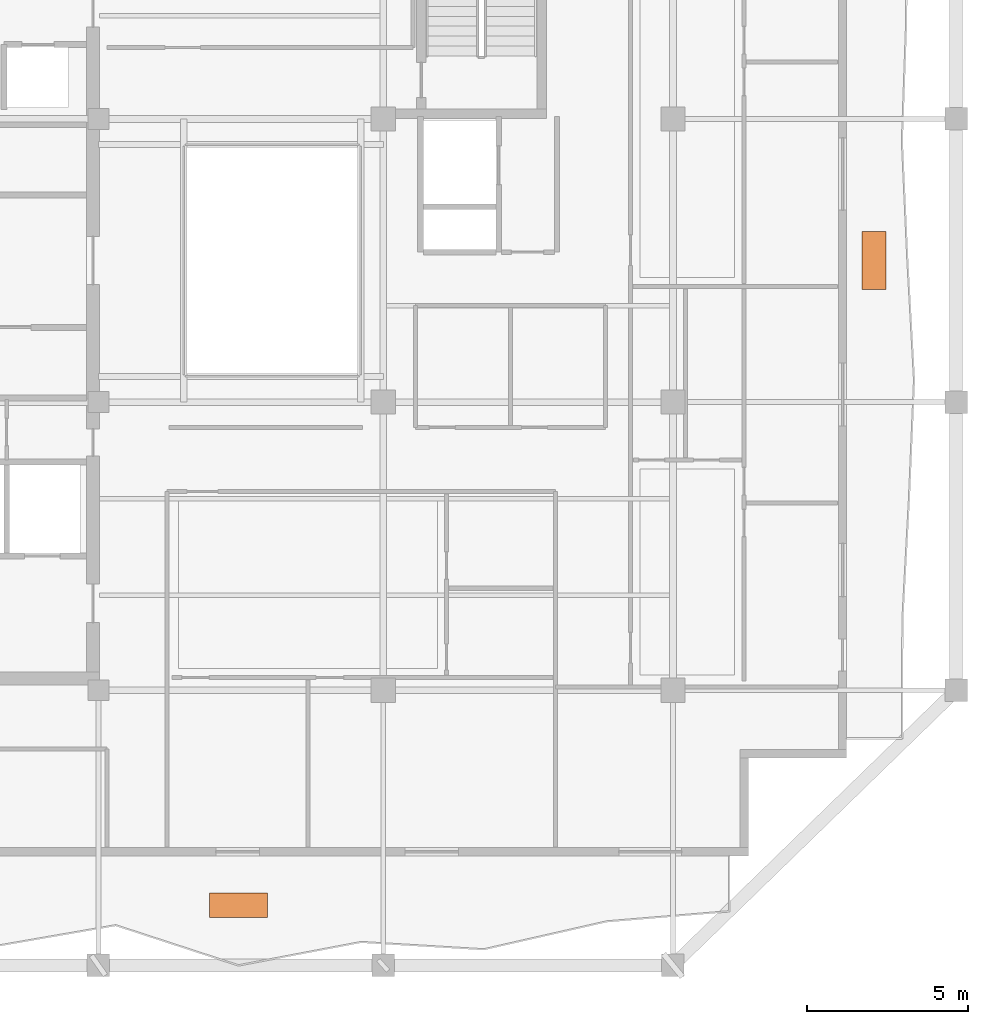
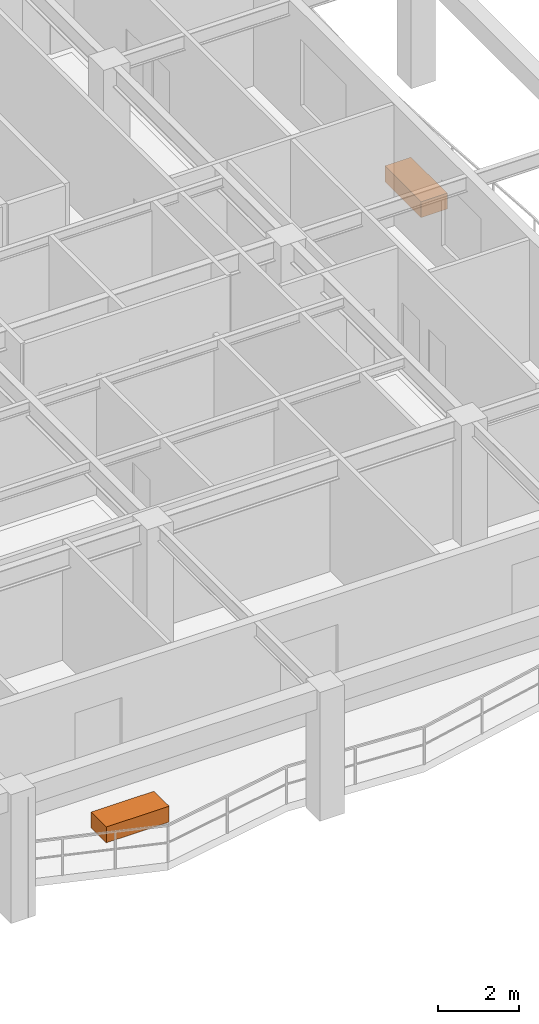
# One storey, part 10 of 10: 2 proxies.
"""IFC4 building model written with IfcOpenShell, lengths in metres."""

from ifc_helpers import new_model, si_unit, direction, frame, origin, origin_2d, place, context, subcontext, project, spatial, rectangle, extrude, material, type_object, element, save


model = new_model("IFC4")

# Units and contexts
model_context = context("Model", 3, precision=1e-05, world=origin(), true_north=direction((0.0, 1.0)))
body_context = subcontext(model_context, "Body", "Model", "MODEL_VIEW")
ifc_project = project(units=[si_unit("LENGTHUNIT", "METRE"), si_unit("AREAUNIT", "SQUARE_METRE"), si_unit("VOLUMEUNIT", "CUBIC_METRE"), si_unit("PLANEANGLEUNIT", "RADIAN"), si_unit("MASSUNIT", "GRAM", prefix="KILO")], contexts=[model_context])

# Site, building, storey
site_placement = place(None, origin())
site = spatial("IfcSite", under=ifc_project, at=site_placement, CompositionType="ELEMENT")
building_placement = place(site_placement, origin())
building = spatial("IfcBuilding", under=site, at=building_placement, Name="Kundavana Baori Tower", CompositionType="ELEMENT")
storey_placement = place(building_placement, frame((0.0, 0.0, 272.60009765625)))
storey = spatial("IfcBuildingStorey", under=building, at=storey_placement, Name="L67", CompositionType="ELEMENT", Elevation=272.60009765625)

# Proxies
ifc_material = material(Name="Red-Buff Dholpur Sandstone Cladding on Concrete C40/50", Category="masonry")
building_element_proxy_type = type_object("IfcBuildingElementProxyType", Name="PRX-PLANTER-1800", PredefinedType="USERDEFINED", material=ifc_material)
for number, where, z_axis, x_axis, name in (
    (1, (29.300048828125, 8.570068359375, 0.0), (0.0, 0.0, 1.0), (1.0, 0.0, 0.0), "L67 Dholpur Stone Structural Tree Planter S"),
    (2, (49.051025390625, 28.60009765625, 0.0), (0.0, 0.0, 1.0), (0.0, 1.0, 0.0), "L67 Dholpur Stone Structural Tree Planter E"),
):
    element("IfcBuildingElementProxy", number, at=place(storey_placement, frame(where, z_axis=z_axis, x_axis=x_axis)), inside=storey, type_object=building_element_proxy_type, Name=name, ObjectType="PLANTER", PredefinedType="USERDEFINED", context=body_context, shape_type="SweptSolid", body=[
        extrude(rectangle(XDim=1.800048828125, YDim=0.75, at=origin_2d()), origin(), (0.0, 0.0, 1.0), 0.47998046875),
    ])

save(model, "model.ifc")
